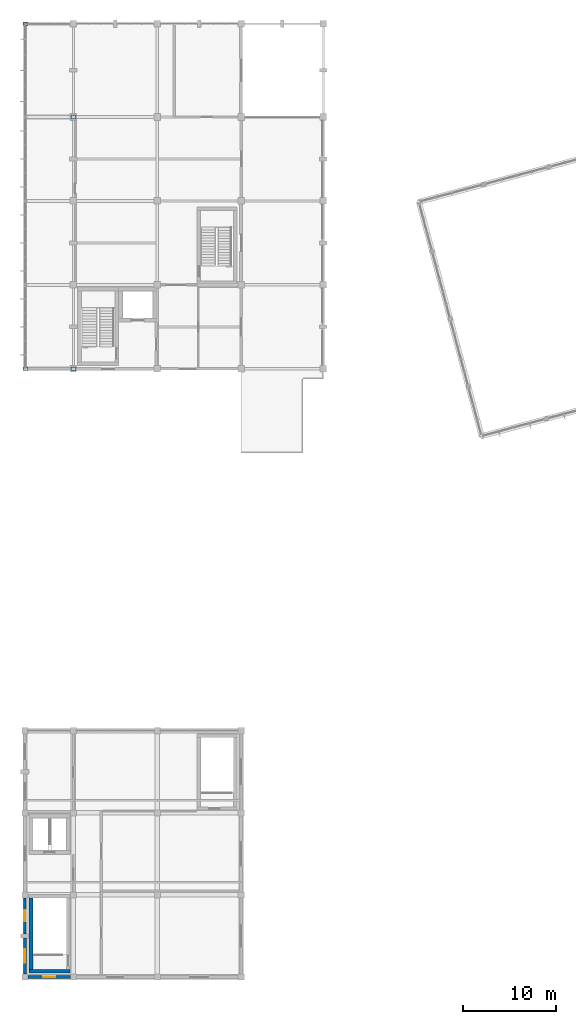
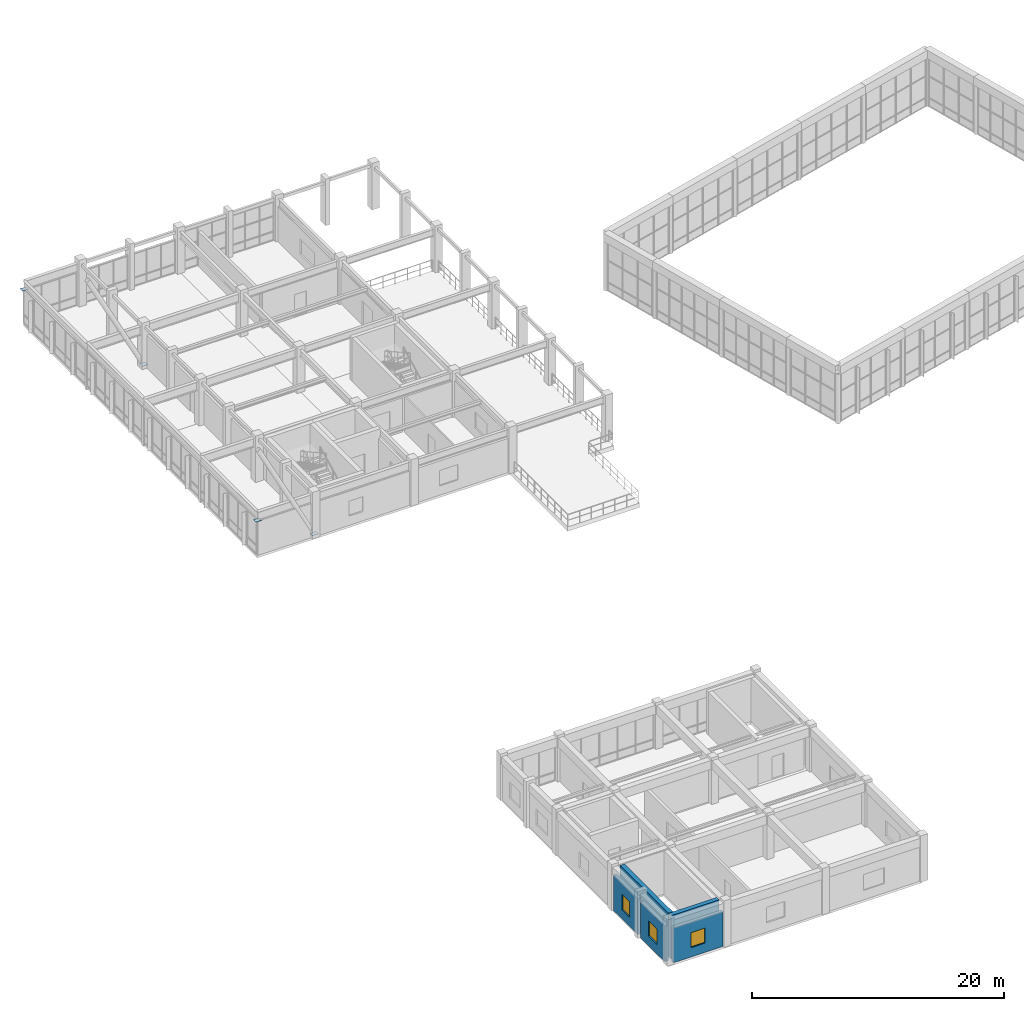
# One storey, part 43 of 55: 5 walls, 4 plates, 3 windows, 3 openings.
"""IFC4 building model written with IfcOpenShell, lengths in metres."""

from ifc_helpers import new_model, si_unit, direction, frame, frame_2d, origin, origin_2d, place, context, subcontext, project, spatial, rectangle, extrude, material, layer, layer_set, type_object, element, fill, save


model = new_model("IFC4")

# Units and contexts
model_context = context("Model", 3, precision=1e-05, world=origin(), true_north=direction((0.0, 1.0)))
body_context = subcontext(model_context, "Body", "Model", "MODEL_VIEW")
ifc_project = project(units=[si_unit("LENGTHUNIT", "METRE"), si_unit("AREAUNIT", "SQUARE_METRE"), si_unit("VOLUMEUNIT", "CUBIC_METRE"), si_unit("PLANEANGLEUNIT", "RADIAN"), si_unit("MASSUNIT", "GRAM", prefix="KILO")], contexts=[model_context])

# Site, building, storey
site_placement = place(None, origin())
site = spatial("IfcSite", under=ifc_project, at=site_placement, CompositionType="ELEMENT")
building_placement = place(site_placement, origin())
building = spatial("IfcBuilding", under=site, at=building_placement, Name="Ventoquebrada Cableway Terminal", CompositionType="ELEMENT")
storey_placement = place(building_placement, frame((0.0, 0.0, 14.39990234375)))
storey = spatial("IfcBuildingStorey", under=building, at=storey_placement, Name="L03", CompositionType="ELEMENT", Elevation=14.39990234375)

# Plates
ifc_material_1 = material(Name="Steel ASTM A572 Grade 50", Category="steel")
ifc_layer_1 = layer(ifc_material_1, 0.02001953125)
ifc_layer_set_1 = layer_set([ifc_layer_1], Name="Steel ASTM A572 Grade 50")
plate_type = type_object("IfcPlateType", Name="GP-PL01", PredefinedType="USERDEFINED", material=ifc_layer_set_1)
for number, where, z_axis, x_axis, name in (
    (1, (3.050048828125, 77.0, 3.30908203125), (0.0, 0.0, 1.0), (1.0, 0.0, 0.0), "Raker strut connection plate GP-080"),
    (2, (3.050048828125, 114.0, 3.208984375), (0.0, 0.0, 1.0), (1.0, 0.0, 0.0), "Raker strut connection plate GP-082"),
    (3, (8.199951171875, 77.0, 0.190185546875), (0.0, 0.0, 1.0), (1.0, 0.0, 0.0), "Raker strut connection plate GP-083"),
    (4, (8.199951171875, 104.0, 0.190185546875), (0.0, 0.0, 1.0), (1.0, 0.0, 0.0), "Raker strut connection plate GP-085"),
):
    element("IfcPlate", number, at=place(storey_placement, frame(where, z_axis=z_axis, x_axis=x_axis)), inside=storey, type_object=plate_type, Name=name, ObjectType="GUSSET PLATE", PredefinedType="USERDEFINED", context=body_context, shape_type="SweptSolid", body=[
        extrude(rectangle(XDim=0.550048828125, YDim=0.39990234375, at=origin_2d()), origin(), (0.0, 0.0, 1.0), 0.02001953125),
    ])

# Walls
ifc_material_2 = material(Name="Concrete C40/50", Category="concrete")
ifc_layer_2 = layer(ifc_material_2, 0.39990234375)
ifc_layer_set_2 = layer_set([ifc_layer_2], Name="Concrete C40/50")
wall_type_1 = type_object("IfcWallType", Name="WL-CR1", PredefinedType="SHEAR", material=ifc_layer_set_2)
wall_1_placement = place(storey_placement, frame((3.449951171875, 12.39990234375, 0.0), z_axis=(0.0, 0.0, 1.0), x_axis=(1.0, 0.0, 0.0)))
element("IfcWall", 5, at=wall_1_placement, inside=storey, type_object=wall_type_1, Name="Core shear wall IW-0033", PredefinedType="SHEAR", context=body_context, shape_type="SweptSolid", body=[
    extrude(rectangle(XDim=4.400146484375, YDim=0.39990234375, at=frame_2d((2.2001953125, 0.0))), origin(), (0.0, 0.0, 1.0), 4.190185546875),
])
wall_2_placement = place(storey_placement, frame((3.64990234375, 20.25, 0.0), z_axis=(0.0, 0.0, 1.0), x_axis=(0.0, -1.0, 0.0)))
element("IfcWall", 6, at=wall_2_placement, inside=storey, type_object=wall_type_1, Name="Core shear wall IW-0036", PredefinedType="SHEAR", context=body_context, shape_type="SweptSolid", body=[
    extrude(rectangle(XDim=7.64990234375, YDim=0.39990234375, at=frame_2d((3.824951171875, 0.0))), origin(), (0.0, 0.0, 1.0), 4.190185546875),
])

# Wall, opening, window
ifc_material_3 = material(Name="Precast architectural concrete C40/50", Category="concrete")
ifc_layer_3 = layer(ifc_material_3, 0.280029296875)
ifc_layer_set_3 = layer_set([ifc_layer_3], Name="Precast architectural concrete C40/50")
wall_type_2 = type_object("IfcWallType", Name="WL-EX1", PredefinedType="SOLIDWALL", material=ifc_layer_set_3)
wall_3_placement = place(storey_placement, frame((3.320068359375, 11.800048828125, 0.0), z_axis=(0.0, 0.0, 1.0), x_axis=(1.0, 0.0, 0.0)))
wall_3 = element("IfcWall", 7, at=wall_3_placement, inside=storey, type_object=wall_type_2, Name="Exterior architectural wall EW-0116", PredefinedType="SOLIDWALL", context=body_context, shape_type="SweptSolid", body=[
    extrude(rectangle(XDim=4.559814453125, YDim=0.280029296875, at=frame_2d((2.27978515625, 0.0))), origin(), (0.0, 0.0, 1.0), 3.375),
])
opening_1_placement = place(wall_3_placement, frame((1.6298828125, 0.0, 0.89990234375)))
opening_1 = element("IfcOpeningElement", 8, at=opening_1_placement, cuts=wall_3, Name="Opening WN-035", PredefinedType="OPENING", context=body_context, shape_type="SweptSolid", body=[
    extrude(rectangle(XDim=1.300048828125, YDim=1.449951171875, at=frame_2d((0.64990234375, 0.72509765625))), frame((0.0, 0.14990234375, 0.0), z_axis=(0.0, -1.0, 0.0), x_axis=(1.0, 0.0, 0.0)), (0.0, 0.0, 1.0), 0.300048828125),
])
ifc_material_4 = material(Name="Double low-e laminated safety glazing", Category="glass")
window_type_1 = type_object("IfcWindowType", Name="WT-15", PartitioningType="SINGLE_PANEL", PredefinedType="WINDOW", material=ifc_material_4)
window_1_placement = place(opening_1_placement, origin())
window_1 = element("IfcWindow", 9, at=window_1_placement, inside=storey, type_object=window_type_1, Name="Architectural punched window WN-035", OverallHeight=1.449951171875, OverallWidth=1.300048828125, PartitioningType="SINGLE_PANEL", PredefinedType="WINDOW", context=body_context, shape_type="SweptSolid", body=[
    extrude(rectangle(XDim=1.300048828125, YDim=1.449951171875, at=frame_2d((0.64990234375, 0.72509765625))), frame((0.0, 0.030029296875, 0.0), z_axis=(0.0, -1.0, 0.0), x_axis=(1.0, 0.0, 0.0)), (0.0, 0.0, 1.0), 0.06005859375),
])
fill(opening_1, window_1)

wall_4_placement = place(storey_placement, frame((3.0, 20.280029296875, 0.0), z_axis=(0.0, 0.0, 1.0), x_axis=(0.0, -1.0, 0.0)))
wall_4 = element("IfcWall", 10, at=wall_4_placement, inside=storey, type_object=wall_type_2, Name="Exterior architectural wall EW-0122", PredefinedType="SOLIDWALL", context=body_context, shape_type="SweptSolid", body=[
    extrude(rectangle(XDim=3.860107421875, YDim=0.280029296875, at=frame_2d((1.93017578125, 0.0))), origin(), (0.0, 0.0, 1.0), 3.47509765625),
])
opening_2_placement = place(wall_4_placement, frame((1.330078125, 0.0, 0.89990234375)))
opening_2 = element("IfcOpeningElement", 11, at=opening_2_placement, cuts=wall_4, Name="Opening WN-041", PredefinedType="OPENING", context=body_context, shape_type="SweptSolid", body=[
    extrude(rectangle(XDim=1.199951171875, YDim=1.5, at=frame_2d((0.60009765625, 0.75))), frame((0.0, 0.14990234375, 0.0), z_axis=(0.0, -1.0, 0.0), x_axis=(1.0, 0.0, 0.0)), (0.0, 0.0, 1.0), 0.300048828125),
])
window_type_2 = type_object("IfcWindowType", Name="WT-01", PartitioningType="SINGLE_PANEL", PredefinedType="WINDOW", material=ifc_material_4)
window_2_placement = place(opening_2_placement, origin())
window_2 = element("IfcWindow", 12, at=window_2_placement, inside=storey, type_object=window_type_2, Name="Architectural punched window WN-041", OverallHeight=1.5, OverallWidth=1.199951171875, PartitioningType="SINGLE_PANEL", PredefinedType="WINDOW", context=body_context, shape_type="SweptSolid", body=[
    extrude(rectangle(XDim=1.199951171875, YDim=1.5, at=frame_2d((0.60009765625, 0.75))), frame((0.0, 0.030029296875, 0.0), z_axis=(0.0, -1.0, 0.0), x_axis=(1.0, 0.0, 0.0)), (0.0, 0.0, 1.0), 0.06005859375),
])
fill(opening_2, window_2)

ifc_layer_4 = layer(ifc_material_3, 0.320068359375)
ifc_layer_set_4 = layer_set([ifc_layer_4], Name="Precast architectural concrete C40/50")
wall_type_3 = type_object("IfcWallType", Name="WL-EX2", PredefinedType="SOLIDWALL", material=ifc_layer_set_4)
wall_5_placement = place(storey_placement, frame((3.0, 15.97998046875, 0.0), z_axis=(0.0, 0.0, 1.0), x_axis=(0.0, -1.0, 0.0)))
wall_5 = element("IfcWall", 13, at=wall_5_placement, inside=storey, type_object=wall_type_3, Name="Exterior architectural wall EW-0123", PredefinedType="SOLIDWALL", context=body_context, shape_type="SweptSolid", body=[
    extrude(rectangle(XDim=3.85986328125, YDim=0.320068359375, at=frame_2d((1.929931640625, 0.0))), origin(), (0.0, 0.0, 1.0), 3.47509765625),
])
opening_3_placement = place(wall_5_placement, frame((1.22998046875, 0.0, 0.89990234375)))
opening_3 = element("IfcOpeningElement", 14, at=opening_3_placement, cuts=wall_5, Name="Opening WN-042", PredefinedType="OPENING", context=body_context, shape_type="SweptSolid", body=[
    extrude(rectangle(XDim=1.39990234375, YDim=1.5, at=frame_2d((0.699951171875, 0.75))), frame((0.0, 0.169921875, 0.0), z_axis=(0.0, -1.0, 0.0), x_axis=(1.0, 0.0, 0.0)), (0.0, 0.0, 1.0), 0.340087890625),
])
window_type_3 = type_object("IfcWindowType", Name="WT-02", PartitioningType="SINGLE_PANEL", PredefinedType="WINDOW", material=ifc_material_4)
window_3_placement = place(opening_3_placement, origin())
window_3 = element("IfcWindow", 15, at=window_3_placement, inside=storey, type_object=window_type_3, Name="Architectural punched window WN-042", OverallHeight=1.5, OverallWidth=1.39990234375, PartitioningType="SINGLE_PANEL", PredefinedType="WINDOW", context=body_context, shape_type="SweptSolid", body=[
    extrude(rectangle(XDim=1.39990234375, YDim=1.5, at=frame_2d((0.699951171875, 0.75))), frame((0.0, 0.030029296875, 0.0), z_axis=(0.0, -1.0, 0.0), x_axis=(1.0, 0.0, 0.0)), (0.0, 0.0, 1.0), 0.06005859375),
])
fill(opening_3, window_3)

save(model, "model.ifc")
